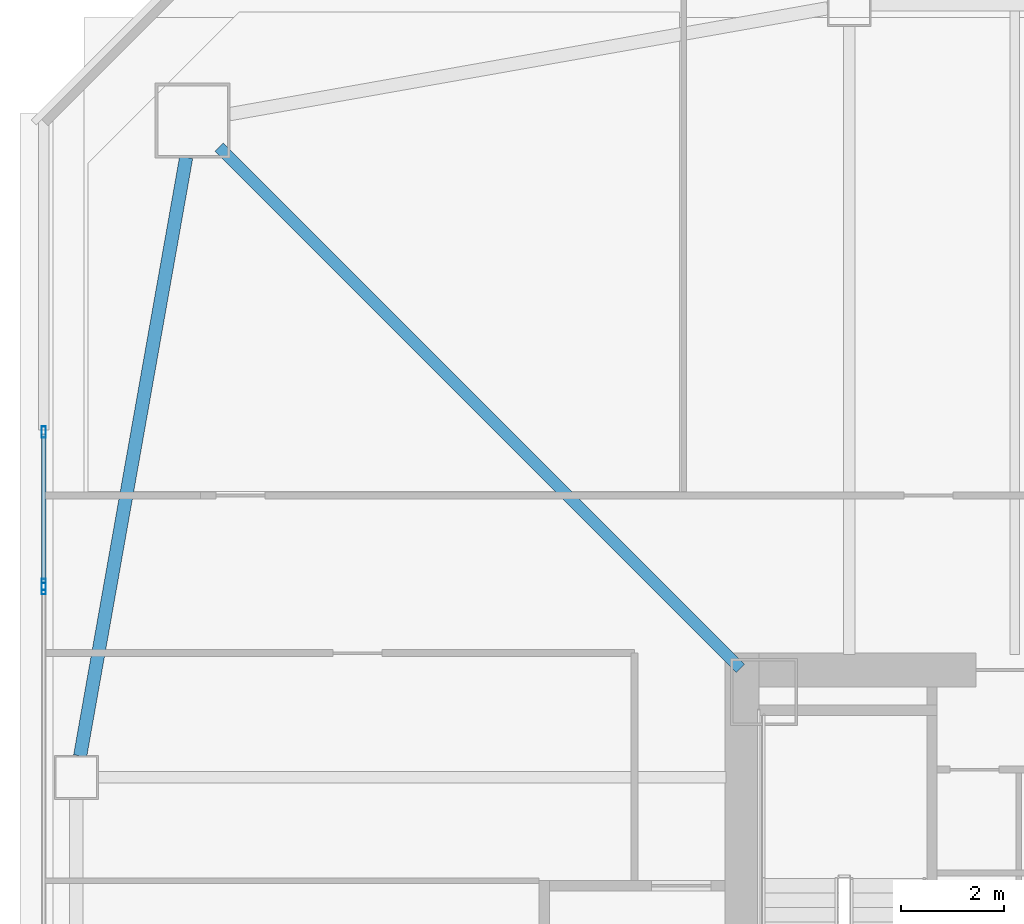
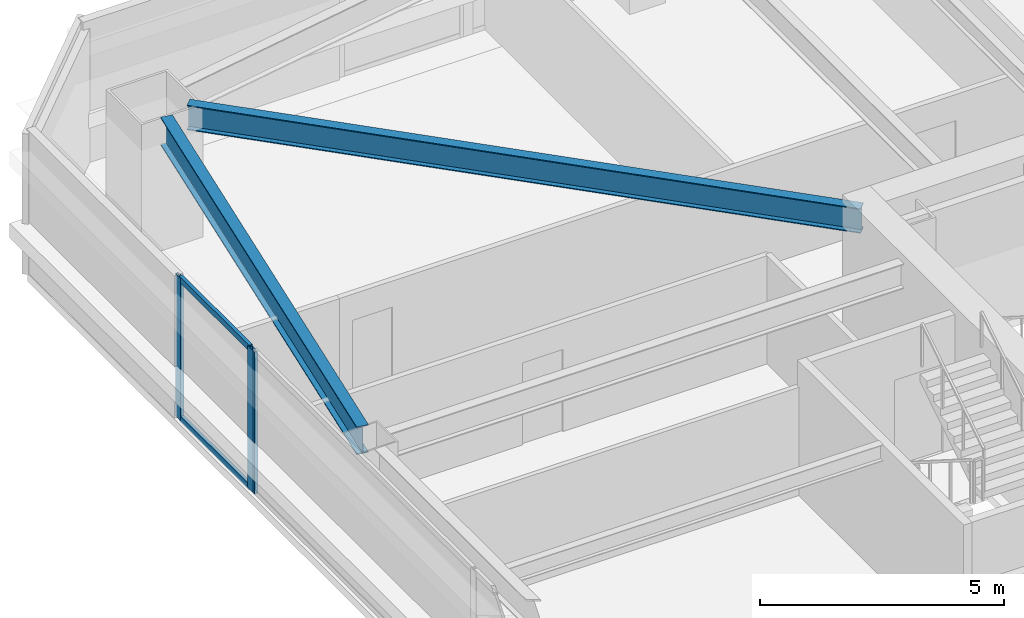
# One storey, part 12 of 44: 5 members, 2 beams, 2 elements without a shape of their own.
"""IFC4 building model written with IfcOpenShell, lengths in metres."""

from ifc_helpers import new_model, si_unit, direction, frame, origin, origin_2d, place, context, subcontext, project, spatial, hollow_rectangle, i_section, extrude, material, material_profile, profile_set, type_object, element, aggregate, save


model = new_model("IFC4")

# Units and contexts
model_context = context("Model", 3, precision=1e-05, world=origin(), true_north=direction((0.0, 1.0)))
body_context = subcontext(model_context, "Body", "Model", "MODEL_VIEW")
ifc_project = project(units=[si_unit("LENGTHUNIT", "METRE"), si_unit("AREAUNIT", "SQUARE_METRE"), si_unit("VOLUMEUNIT", "CUBIC_METRE"), si_unit("PLANEANGLEUNIT", "RADIAN"), si_unit("MASSUNIT", "GRAM", prefix="KILO")], contexts=[model_context])

# Site, building, storey
site_placement = place(None, origin())
site = spatial("IfcSite", under=ifc_project, at=site_placement, CompositionType="ELEMENT")
building_placement = place(site_placement, origin())
building = spatial("IfcBuilding", under=site, at=building_placement, Name="Tashvorn Skyway Center", CompositionType="ELEMENT")
storey_placement = place(building_placement, frame((0.0, 0.0, 74.300048828125)))
storey = spatial("IfcBuildingStorey", under=building, at=storey_placement, Name="L19", CompositionType="ELEMENT", Elevation=74.300048828125)

# Beams
ifc_material_1 = material(Name="Steel ASTM A992 Grade 50", Category="steel")
ifc_material_profile_1 = material_profile(ifc_material_1, i_section(OverallWidth=0.22998046875, OverallDepth=0.616943359375, WebThickness=0.01318359375, FlangeThickness=0.022216796875, at=origin_2d()), Name="W24X94")
ifc_profile_set_1 = profile_set([ifc_material_profile_1], Name="Steel ASTM A992 Grade 50")
beam_type_1 = type_object("IfcBeamType", Name="BM-BEAM-W24X94", PredefinedType="BEAM", material=ifc_profile_set_1)
beam_1_placement = place(storey_placement, frame((24.4091796875, 49.5908203125, 3.04150390625), z_axis=(0.707106781187, -0.707106781187, 0.0), x_axis=(0.707106781187, 0.707106781187, 0.0)))
element("IfcBeam", 1, at=beam_1_placement, inside=storey, type_object=beam_type_1, Name="Tower 1 L19 Primary Floor Girder MC-NW", PredefinedType="BEAM", context=body_context, shape_type="SweptSolid", body=[
    extrude(i_section(OverallWidth=0.22998046875, OverallDepth=0.616943359375, WebThickness=0.01318359375, FlangeThickness=0.022216796875, at=origin_2d()), origin(), (0.0, 0.0, 1.0), 14.261962890625),
])
ifc_material_profile_2 = material_profile(ifc_material_1, i_section(OverallWidth=0.256103515625, OverallDepth=0.693115234375, WebThickness=0.014404296875, FlangeThickness=0.023681640625, at=origin_2d()), Name="W27X114")
ifc_profile_set_2 = profile_set([ifc_material_profile_2], Name="Steel ASTM A992 Grade 50")
beam_type_2 = type_object("IfcBeamType", Name="BM-SPANDREL-W27X114", PredefinedType="SPANDREL", material=ifc_profile_set_2)
beam_2_placement = place(storey_placement, frame((23.7744140625, 49.39111328125, 3.00341796875), z_axis=(-0.174437966698, -0.98466816531, 0.0), x_axis=(0.98466816531, -0.174437966698, 0.0)))
element("IfcBeam", 2, at=beam_2_placement, inside=storey, type_object=beam_type_2, Name="Tower 1 L19 Spandrel Beam 10", PredefinedType="SPANDREL", context=body_context, shape_type="SweptSolid", body=[
    extrude(i_section(OverallWidth=0.256103515625, OverallDepth=0.693115234375, WebThickness=0.014404296875, FlangeThickness=0.023681640625, at=origin_2d()), origin(), (0.0, 0.0, 1.0), 11.7578125),
])

# Curtain wall, member
ifc_material_2 = material(Name="Thermally broken bronze-anodized aluminium 6063-T6", Category="aluminium")
curtain_wall_type = type_object("IfcCurtainWallType", Name="CW-CW-Z2", PredefinedType="NOTDEFINED", material=ifc_material_2)
curtain_wall_1_placement = place(storey_placement, origin())
curtain_wall_1 = element("IfcCurtainWall", 3, at=curtain_wall_1_placement, inside=storey, type_object=curtain_wall_type, Name="Tower 1 L19 West Unitised Curtain Wall Glazing Group 2", PredefinedType="NOTDEFINED")
ifc_material_profile_3 = material_profile(ifc_material_2, hollow_rectangle(XDim=0.080078125, YDim=0.219970703125, WallThickness=0.0048828125, at=origin_2d()), Name="ALU-MULL-80x220")
ifc_profile_set_3 = profile_set([ifc_material_profile_3], Name="Thermally broken bronze-anodized aluminium 6063-T6")
member_type_1 = type_object("IfcMemberType", Name="CWM-CW-Z2", PredefinedType="MULLION", material=ifc_profile_set_3)
member_1_placement = place(storey_placement, frame((21.02001953125, 41.050048828125, 0.0), z_axis=(0.0, 0.0, 1.0), x_axis=(-1.0, 0.0, 0.0)))
member_1 = element("IfcMember", 4, at=member_1_placement, type_object=member_type_1, Name="CW-Z2 mullion 3", PredefinedType="MULLION", context=body_context, shape_type="SweptSolid", body=[
    extrude(hollow_rectangle(XDim=0.080078125, YDim=0.219970703125, WallThickness=0.0048828125, at=origin_2d()), origin(), (0.0, 0.0, 1.0), 3.550048828125),
])
aggregate(curtain_wall_1, [member_1])

# Curtain wall, members
curtain_wall_2_placement = place(storey_placement, origin())
curtain_wall_2 = element("IfcCurtainWall", 5, at=curtain_wall_2_placement, inside=storey, type_object=curtain_wall_type, Name="Tower 1 L19 West Unitised Curtain Wall Glazing Group 3", PredefinedType="NOTDEFINED")
member_2_placement = place(storey_placement, frame((21.02001953125, 41.1298828125, 0.0), z_axis=(0.0, 0.0, 1.0), x_axis=(-1.0, 0.0, 0.0)))
member_2 = element("IfcMember", 6, at=member_2_placement, type_object=member_type_1, Name="CW-Z2 mullion 1", PredefinedType="MULLION", context=body_context, shape_type="SweptSolid", body=[
    extrude(hollow_rectangle(XDim=0.080078125, YDim=0.219970703125, WallThickness=0.0048828125, at=origin_2d()), origin(), (0.0, 0.0, 1.0), 3.550048828125),
])
member_3_placement = place(storey_placement, frame((21.02001953125, 44.080078125, 0.0), z_axis=(0.0, 0.0, 1.0), x_axis=(-1.0, 0.0, 0.0)))
member_3 = element("IfcMember", 7, at=member_3_placement, type_object=member_type_1, Name="CW-Z2 mullion 2", PredefinedType="MULLION", context=body_context, shape_type="SweptSolid", body=[
    extrude(hollow_rectangle(XDim=0.080078125, YDim=0.219970703125, WallThickness=0.0048828125, at=origin_2d()), origin(), (0.0, 0.0, 1.0), 3.550048828125),
])
ifc_material_profile_4 = material_profile(ifc_material_2, hollow_rectangle(XDim=0.080078125, YDim=0.14990234375, WallThickness=0.00439453125, at=origin_2d()), Name="ALU-TRAN-80x150")
ifc_profile_set_4 = profile_set([ifc_material_profile_4], Name="Thermally broken bronze-anodized aluminium 6063-T6")
member_type_2 = type_object("IfcMemberType", Name="CWT-CW-Z2", PredefinedType="USERDEFINED", material=ifc_profile_set_4)
member_4_placement = place(storey_placement, frame((21.02001953125, 41.169921875, 0.0400390625), z_axis=(0.0, 1.0, 0.0), x_axis=(-1.0, 0.0, 0.0)))
member_4 = element("IfcMember", 8, at=member_4_placement, type_object=member_type_2, Name="CW-Z2 transom 1.1", ObjectType="TRANSOM", PredefinedType="USERDEFINED", context=body_context, shape_type="SweptSolid", body=[
    extrude(hollow_rectangle(XDim=0.080078125, YDim=0.14990234375, WallThickness=0.00439453125, at=origin_2d()), origin(), (0.0, 0.0, 1.0), 2.8701171875),
])
member_5_placement = place(storey_placement, frame((21.02001953125, 41.169921875, 3.510009765625), z_axis=(0.0, 1.0, 0.0), x_axis=(-1.0, 0.0, 0.0)))
member_5 = element("IfcMember", 9, at=member_5_placement, type_object=member_type_2, Name="CW-Z2 transom 1.2", ObjectType="TRANSOM", PredefinedType="USERDEFINED", context=body_context, shape_type="SweptSolid", body=[
    extrude(hollow_rectangle(XDim=0.080078125, YDim=0.14990234375, WallThickness=0.00439453125, at=origin_2d()), origin(), (0.0, 0.0, 1.0), 2.8701171875),
])
aggregate(curtain_wall_2, [member_2, member_3, member_4, member_5])

save(model, "model.ifc")
